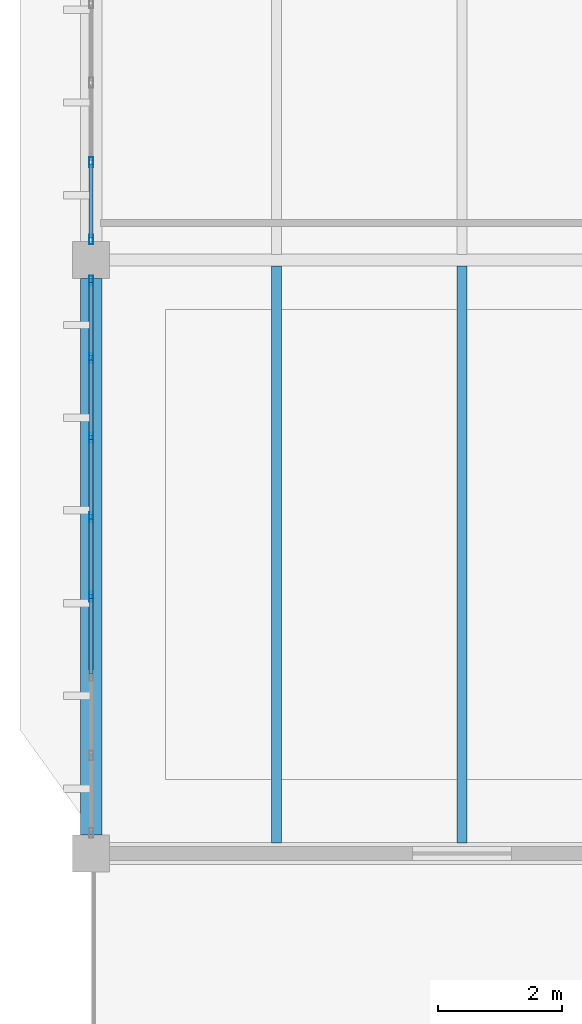
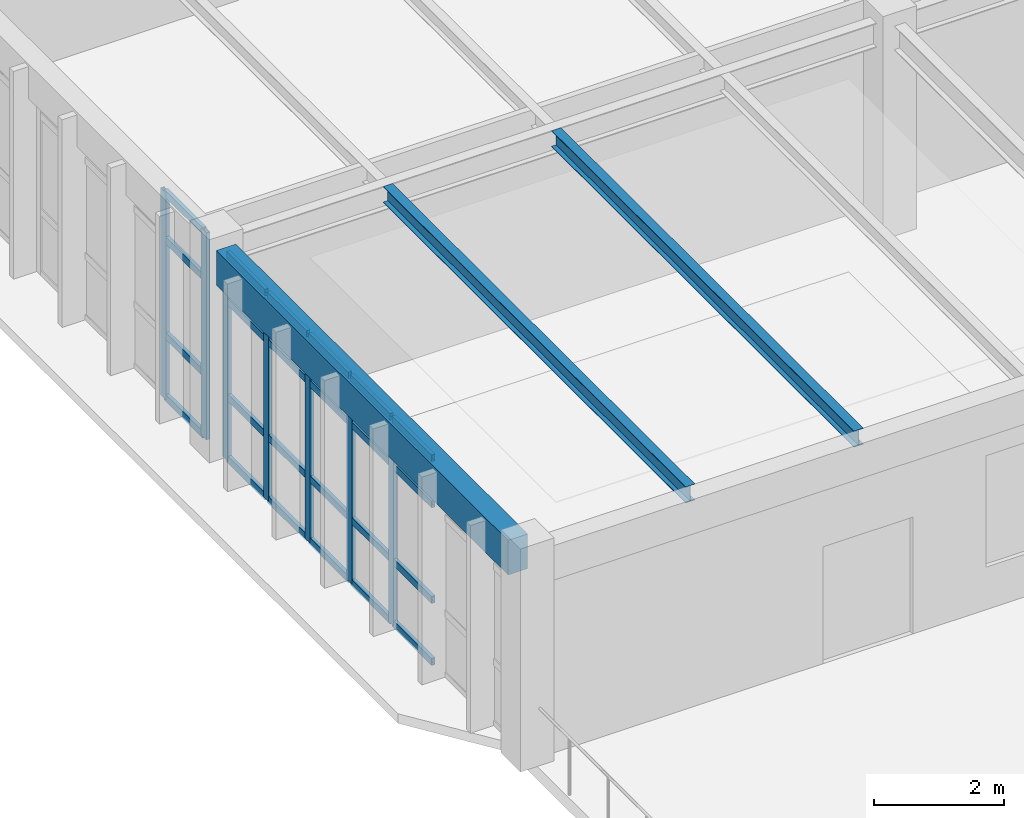
# One storey, part 4 of 37: 31 members, 3 beams, 2 elements without a shape of their own.
"""IFC4 building model written with IfcOpenShell, lengths in metres."""

from ifc_helpers import new_model, si_unit, direction, frame, origin, origin_2d, place, context, subcontext, project, spatial, rectangle, hollow_rectangle, i_section, extrude, material, layer, layer_set, material_profile, profile_set, type_object, element, aggregate, save


model = new_model("IFC4")

# Units and contexts
model_context = context("Model", 3, precision=1e-05, world=origin(), true_north=direction((0.0, 1.0)))
body_context = subcontext(model_context, "Body", "Model", "MODEL_VIEW")
ifc_project = project(units=[si_unit("LENGTHUNIT", "METRE"), si_unit("AREAUNIT", "SQUARE_METRE"), si_unit("VOLUMEUNIT", "CUBIC_METRE"), si_unit("PLANEANGLEUNIT", "RADIAN"), si_unit("MASSUNIT", "GRAM", prefix="KILO")], contexts=[model_context])

# Site, building, storey
site_placement = place(None, origin())
site = spatial("IfcSite", under=ifc_project, at=site_placement, CompositionType="ELEMENT")
building_placement = place(site_placement, origin())
building = spatial("IfcBuilding", under=site, at=building_placement, Name="Pandanus Reach Market Hall", CompositionType="ELEMENT")
storey_placement = place(building_placement, frame((0.0, 0.0, 14.39990234375)))
storey = spatial("IfcBuildingStorey", under=building, at=storey_placement, Name="L03", CompositionType="ELEMENT", Elevation=14.39990234375)

# Beam
ifc_material_1 = material(Name="Concrete N40 (40 MPa)", Category="concrete")
ifc_material_profile_1 = material_profile(ifc_material_1, rectangle(XDim=0.35009765625, YDim=0.64990234375, at=origin_2d()), Name="RC350x650", Category="LoadBearing")
ifc_profile_set_1 = profile_set([ifc_material_profile_1], Name="Concrete N40 (40 MPa)")
beam_type_1 = type_object("IfcBeamType", Name="BM-RC350-E", PredefinedType="SPANDREL", material=ifc_profile_set_1)
beam_placement = place(storey_placement, frame((144.0, 29.097900390625, 3.630126953125), z_axis=(0.0, 1.0, 0.0), x_axis=(-1.0, 0.0, 0.0)))
element("IfcBeam", 1, at=beam_placement, inside=storey, type_object=beam_type_1, Name="Framing beam BM-RC350-E L03.554", PredefinedType="SPANDREL", context=body_context, shape_type="SweptSolid", body=[
    extrude(rectangle(XDim=0.35009765625, YDim=0.64990234375, at=origin_2d()), origin(), (0.0, 0.0, 1.0), 9.004150390625),
])

# Curtain wall, members
ifc_material_2 = material(Name="Bronze anodised aluminium and low-E glass", Category="aluminium")
ifc_layer = layer(ifc_material_2, 0.159912109375, Name="CW-33")
ifc_layer_set = layer_set([ifc_layer], Name="Bronze anodised aluminium and low-E glass")
curtain_wall_type = type_object("IfcCurtainWallType", Name="CW-33", PredefinedType="NOTDEFINED", material=ifc_layer_set)
curtain_wall_1_placement = place(storey_placement, origin())
curtain_wall_1 = element("IfcCurtainWall", 2, at=curtain_wall_1_placement, inside=storey, type_object=curtain_wall_type, Name="Glazed curtain wall CW-33 CW-0122", PredefinedType="NOTDEFINED")
ifc_material_3 = material(Name="Bronze anodised aluminium", Category="aluminium")
ifc_material_profile_2 = material_profile(ifc_material_3, hollow_rectangle(XDim=0.06494140625, YDim=0.159912109375, WallThickness=0.00390625, at=origin_2d()), Name="ALU65x160", Category="LoadBearing")
ifc_profile_set_2 = profile_set([ifc_material_profile_2], Name="Bronze anodised aluminium")
member_type_1 = type_object("IfcMemberType", Name="CW-M1", PredefinedType="MULLION", material=ifc_profile_set_2)
member_1_placement = place(storey_placement, frame((144.0, 32.95703125, 0.0), z_axis=(0.0, 0.0, 1.0), x_axis=(-1.0, 0.0, 0.0)))
member_1 = element("IfcMember", 3, at=member_1_placement, type_object=member_type_1, Name="CW-33 mullion 4", PredefinedType="MULLION", context=body_context, shape_type="SweptSolid", body=[
    extrude(hollow_rectangle(XDim=0.06494140625, YDim=0.159912109375, WallThickness=0.00390625, at=origin_2d()), origin(), (0.0, 0.0, 1.0), 3.900146484375),
])
member_2_placement = place(storey_placement, frame((144.0, 34.242919921875, 0.0), z_axis=(0.0, 0.0, 1.0), x_axis=(-1.0, 0.0, 0.0)))
member_2 = element("IfcMember", 4, at=member_2_placement, type_object=member_type_1, Name="CW-33 mullion 5", PredefinedType="MULLION", context=body_context, shape_type="SweptSolid", body=[
    extrude(hollow_rectangle(XDim=0.06494140625, YDim=0.159912109375, WallThickness=0.00390625, at=origin_2d()), origin(), (0.0, 0.0, 1.0), 3.900146484375),
])
member_3_placement = place(storey_placement, frame((144.0, 35.528564453125, 0.0), z_axis=(0.0, 0.0, 1.0), x_axis=(-1.0, 0.0, 0.0)))
member_3 = element("IfcMember", 5, at=member_3_placement, type_object=member_type_1, Name="CW-33 mullion 6", PredefinedType="MULLION", context=body_context, shape_type="SweptSolid", body=[
    extrude(hollow_rectangle(XDim=0.06494140625, YDim=0.159912109375, WallThickness=0.00390625, at=origin_2d()), origin(), (0.0, 0.0, 1.0), 3.900146484375),
])
member_4_placement = place(storey_placement, frame((144.0, 36.814208984375, 0.0), z_axis=(0.0, 0.0, 1.0), x_axis=(-1.0, 0.0, 0.0)))
member_4 = element("IfcMember", 6, at=member_4_placement, type_object=member_type_1, Name="CW-33 mullion 7", PredefinedType="MULLION", context=body_context, shape_type="SweptSolid", body=[
    extrude(hollow_rectangle(XDim=0.06494140625, YDim=0.159912109375, WallThickness=0.00390625, at=origin_2d()), origin(), (0.0, 0.0, 1.0), 3.900146484375),
])
member_5_placement = place(storey_placement, frame((144.0, 38.0673828125, 0.0), z_axis=(0.0, 0.0, 1.0), x_axis=(-1.0, 0.0, 0.0)))
member_5 = element("IfcMember", 7, at=member_5_placement, type_object=member_type_1, Name="CW-33 mullion 8", PredefinedType="MULLION", context=body_context, shape_type="SweptSolid", body=[
    extrude(hollow_rectangle(XDim=0.06494140625, YDim=0.159912109375, WallThickness=0.00390625, at=origin_2d()), origin(), (0.0, 0.0, 1.0), 3.900146484375),
])

curtain_wall_2_placement = place(storey_placement, origin())
curtain_wall_2 = element("IfcCurtainWall", 8, at=curtain_wall_2_placement, inside=storey, type_object=curtain_wall_type, Name="Glazed curtain wall CW-33 CW-0123", PredefinedType="NOTDEFINED")
member_6_placement = place(storey_placement, frame((144.0, 38.732421875, 0.0), z_axis=(0.0, 0.0, 1.0), x_axis=(-1.0, 0.0, 0.0)))
member_6 = element("IfcMember", 9, at=member_6_placement, type_object=member_type_1, Name="CW-33 mullion 1", PredefinedType="MULLION", context=body_context, shape_type="SweptSolid", body=[
    extrude(hollow_rectangle(XDim=0.06494140625, YDim=0.159912109375, WallThickness=0.00390625, at=origin_2d()), origin(), (0.0, 0.0, 1.0), 3.900146484375),
])
member_7_placement = place(storey_placement, frame((144.0, 39.985595703125, 0.0), z_axis=(0.0, 0.0, 1.0), x_axis=(-1.0, 0.0, 0.0)))
member_7 = element("IfcMember", 10, at=member_7_placement, type_object=member_type_1, Name="CW-33 mullion 2", PredefinedType="MULLION", context=body_context, shape_type="SweptSolid", body=[
    extrude(hollow_rectangle(XDim=0.06494140625, YDim=0.159912109375, WallThickness=0.00390625, at=origin_2d()), origin(), (0.0, 0.0, 1.0), 3.900146484375),
])

# Member
ifc_material_profile_3 = material_profile(ifc_material_3, hollow_rectangle(XDim=0.06494140625, YDim=0.1298828125, WallThickness=0.00390625, at=origin_2d()), Name="ALU65x130", Category="LoadBearing")
ifc_profile_set_3 = profile_set([ifc_material_profile_3], Name="Bronze anodised aluminium")
member_type_2 = type_object("IfcMemberType", Name="CW-T1", PredefinedType="USERDEFINED", material=ifc_profile_set_3)
member_8_placement = place(storey_placement, frame((144.0, 31.703857421875, 0.03271484375), z_axis=(0.0, 1.0, 0.0), x_axis=(-1.0, 0.0, 0.0)))
member_8 = element("IfcMember", 11, at=member_8_placement, type_object=member_type_2, Name="CW-33 transom 3.1", ObjectType="TRANSOM", PredefinedType="USERDEFINED", context=body_context, shape_type="SweptSolid", body=[
    extrude(hollow_rectangle(XDim=0.06494140625, YDim=0.1298828125, WallThickness=0.00390625, at=origin_2d()), origin(), (0.0, 0.0, 1.0), 1.220703125),
])

member_9_placement = place(storey_placement, frame((144.0, 31.703857421875, 1.2001953125), z_axis=(0.0, 1.0, 0.0), x_axis=(-1.0, 0.0, 0.0)))
member_9 = element("IfcMember", 12, at=member_9_placement, type_object=member_type_2, Name="CW-33 transom 3.2", ObjectType="TRANSOM", PredefinedType="USERDEFINED", context=body_context, shape_type="SweptSolid", body=[
    extrude(hollow_rectangle(XDim=0.06494140625, YDim=0.1298828125, WallThickness=0.00390625, at=origin_2d()), origin(), (0.0, 0.0, 1.0), 1.220703125),
])

member_10_placement = place(storey_placement, frame((144.0, 31.703857421875, 3.0), z_axis=(0.0, 1.0, 0.0), x_axis=(-1.0, 0.0, 0.0)))
member_10 = element("IfcMember", 13, at=member_10_placement, type_object=member_type_2, Name="CW-33 transom 3.3", ObjectType="TRANSOM", PredefinedType="USERDEFINED", context=body_context, shape_type="SweptSolid", body=[
    extrude(hollow_rectangle(XDim=0.06494140625, YDim=0.1298828125, WallThickness=0.00390625, at=origin_2d()), origin(), (0.0, 0.0, 1.0), 1.220703125),
])

member_11_placement = place(storey_placement, frame((144.0, 31.703857421875, 3.86767578125), z_axis=(0.0, 1.0, 0.0), x_axis=(-1.0, 0.0, 0.0)))
member_11 = element("IfcMember", 14, at=member_11_placement, type_object=member_type_2, Name="CW-33 transom 3.4", ObjectType="TRANSOM", PredefinedType="USERDEFINED", context=body_context, shape_type="SweptSolid", body=[
    extrude(hollow_rectangle(XDim=0.06494140625, YDim=0.1298828125, WallThickness=0.00390625, at=origin_2d()), origin(), (0.0, 0.0, 1.0), 1.220703125),
])

member_12_placement = place(storey_placement, frame((144.0, 32.98974609375, 0.03271484375), z_axis=(0.0, 1.0, 0.0), x_axis=(-1.0, 0.0, 0.0)))
member_12 = element("IfcMember", 15, at=member_12_placement, type_object=member_type_2, Name="CW-33 transom 4.1", ObjectType="TRANSOM", PredefinedType="USERDEFINED", context=body_context, shape_type="SweptSolid", body=[
    extrude(hollow_rectangle(XDim=0.06494140625, YDim=0.1298828125, WallThickness=0.00390625, at=origin_2d()), origin(), (0.0, 0.0, 1.0), 1.220703125),
])

member_13_placement = place(storey_placement, frame((144.0, 32.98974609375, 1.2001953125), z_axis=(0.0, 1.0, 0.0), x_axis=(-1.0, 0.0, 0.0)))
member_13 = element("IfcMember", 16, at=member_13_placement, type_object=member_type_2, Name="CW-33 transom 4.2", ObjectType="TRANSOM", PredefinedType="USERDEFINED", context=body_context, shape_type="SweptSolid", body=[
    extrude(hollow_rectangle(XDim=0.06494140625, YDim=0.1298828125, WallThickness=0.00390625, at=origin_2d()), origin(), (0.0, 0.0, 1.0), 1.220703125),
])

member_14_placement = place(storey_placement, frame((144.0, 32.98974609375, 3.0), z_axis=(0.0, 1.0, 0.0), x_axis=(-1.0, 0.0, 0.0)))
member_14 = element("IfcMember", 17, at=member_14_placement, type_object=member_type_2, Name="CW-33 transom 4.3", ObjectType="TRANSOM", PredefinedType="USERDEFINED", context=body_context, shape_type="SweptSolid", body=[
    extrude(hollow_rectangle(XDim=0.06494140625, YDim=0.1298828125, WallThickness=0.00390625, at=origin_2d()), origin(), (0.0, 0.0, 1.0), 1.220703125),
])

member_15_placement = place(storey_placement, frame((144.0, 32.98974609375, 3.86767578125), z_axis=(0.0, 1.0, 0.0), x_axis=(-1.0, 0.0, 0.0)))
member_15 = element("IfcMember", 18, at=member_15_placement, type_object=member_type_2, Name="CW-33 transom 4.4", ObjectType="TRANSOM", PredefinedType="USERDEFINED", context=body_context, shape_type="SweptSolid", body=[
    extrude(hollow_rectangle(XDim=0.06494140625, YDim=0.1298828125, WallThickness=0.00390625, at=origin_2d()), origin(), (0.0, 0.0, 1.0), 1.220703125),
])

member_16_placement = place(storey_placement, frame((144.0, 34.275390625, 0.03271484375), z_axis=(0.0, 1.0, 0.0), x_axis=(-1.0, 0.0, 0.0)))
member_16 = element("IfcMember", 19, at=member_16_placement, type_object=member_type_2, Name="CW-33 transom 5.1", ObjectType="TRANSOM", PredefinedType="USERDEFINED", context=body_context, shape_type="SweptSolid", body=[
    extrude(hollow_rectangle(XDim=0.06494140625, YDim=0.1298828125, WallThickness=0.00390625, at=origin_2d()), origin(), (0.0, 0.0, 1.0), 1.220703125),
])

member_17_placement = place(storey_placement, frame((144.0, 34.275390625, 1.2001953125), z_axis=(0.0, 1.0, 0.0), x_axis=(-1.0, 0.0, 0.0)))
member_17 = element("IfcMember", 20, at=member_17_placement, type_object=member_type_2, Name="CW-33 transom 5.2", ObjectType="TRANSOM", PredefinedType="USERDEFINED", context=body_context, shape_type="SweptSolid", body=[
    extrude(hollow_rectangle(XDim=0.06494140625, YDim=0.1298828125, WallThickness=0.00390625, at=origin_2d()), origin(), (0.0, 0.0, 1.0), 1.220703125),
])

member_18_placement = place(storey_placement, frame((144.0, 34.275390625, 3.0), z_axis=(0.0, 1.0, 0.0), x_axis=(-1.0, 0.0, 0.0)))
member_18 = element("IfcMember", 21, at=member_18_placement, type_object=member_type_2, Name="CW-33 transom 5.3", ObjectType="TRANSOM", PredefinedType="USERDEFINED", context=body_context, shape_type="SweptSolid", body=[
    extrude(hollow_rectangle(XDim=0.06494140625, YDim=0.1298828125, WallThickness=0.00390625, at=origin_2d()), origin(), (0.0, 0.0, 1.0), 1.220703125),
])

member_19_placement = place(storey_placement, frame((144.0, 34.275390625, 3.86767578125), z_axis=(0.0, 1.0, 0.0), x_axis=(-1.0, 0.0, 0.0)))
member_19 = element("IfcMember", 22, at=member_19_placement, type_object=member_type_2, Name="CW-33 transom 5.4", ObjectType="TRANSOM", PredefinedType="USERDEFINED", context=body_context, shape_type="SweptSolid", body=[
    extrude(hollow_rectangle(XDim=0.06494140625, YDim=0.1298828125, WallThickness=0.00390625, at=origin_2d()), origin(), (0.0, 0.0, 1.0), 1.220703125),
])

member_20_placement = place(storey_placement, frame((144.0, 35.56103515625, 0.03271484375), z_axis=(0.0, 1.0, 0.0), x_axis=(-1.0, 0.0, 0.0)))
member_20 = element("IfcMember", 23, at=member_20_placement, type_object=member_type_2, Name="CW-33 transom 6.1", ObjectType="TRANSOM", PredefinedType="USERDEFINED", context=body_context, shape_type="SweptSolid", body=[
    extrude(hollow_rectangle(XDim=0.06494140625, YDim=0.1298828125, WallThickness=0.00390625, at=origin_2d()), origin(), (0.0, 0.0, 1.0), 1.220703125),
])

member_21_placement = place(storey_placement, frame((144.0, 35.56103515625, 1.2001953125), z_axis=(0.0, 1.0, 0.0), x_axis=(-1.0, 0.0, 0.0)))
member_21 = element("IfcMember", 24, at=member_21_placement, type_object=member_type_2, Name="CW-33 transom 6.2", ObjectType="TRANSOM", PredefinedType="USERDEFINED", context=body_context, shape_type="SweptSolid", body=[
    extrude(hollow_rectangle(XDim=0.06494140625, YDim=0.1298828125, WallThickness=0.00390625, at=origin_2d()), origin(), (0.0, 0.0, 1.0), 1.220703125),
])

member_22_placement = place(storey_placement, frame((144.0, 35.56103515625, 3.0), z_axis=(0.0, 1.0, 0.0), x_axis=(-1.0, 0.0, 0.0)))
member_22 = element("IfcMember", 25, at=member_22_placement, type_object=member_type_2, Name="CW-33 transom 6.3", ObjectType="TRANSOM", PredefinedType="USERDEFINED", context=body_context, shape_type="SweptSolid", body=[
    extrude(hollow_rectangle(XDim=0.06494140625, YDim=0.1298828125, WallThickness=0.00390625, at=origin_2d()), origin(), (0.0, 0.0, 1.0), 1.220703125),
])

member_23_placement = place(storey_placement, frame((144.0, 35.56103515625, 3.86767578125), z_axis=(0.0, 1.0, 0.0), x_axis=(-1.0, 0.0, 0.0)))
member_23 = element("IfcMember", 26, at=member_23_placement, type_object=member_type_2, Name="CW-33 transom 6.4", ObjectType="TRANSOM", PredefinedType="USERDEFINED", context=body_context, shape_type="SweptSolid", body=[
    extrude(hollow_rectangle(XDim=0.06494140625, YDim=0.1298828125, WallThickness=0.00390625, at=origin_2d()), origin(), (0.0, 0.0, 1.0), 1.220703125),
])

member_24_placement = place(storey_placement, frame((144.0, 36.8466796875, 0.03271484375), z_axis=(0.0, 1.0, 0.0), x_axis=(-1.0, 0.0, 0.0)))
member_24 = element("IfcMember", 27, at=member_24_placement, type_object=member_type_2, Name="CW-33 transom 7.1", ObjectType="TRANSOM", PredefinedType="USERDEFINED", context=body_context, shape_type="SweptSolid", body=[
    extrude(hollow_rectangle(XDim=0.06494140625, YDim=0.1298828125, WallThickness=0.00390625, at=origin_2d()), origin(), (0.0, 0.0, 1.0), 1.188232421875),
])

member_25_placement = place(storey_placement, frame((144.0, 36.8466796875, 1.2001953125), z_axis=(0.0, 1.0, 0.0), x_axis=(-1.0, 0.0, 0.0)))
member_25 = element("IfcMember", 28, at=member_25_placement, type_object=member_type_2, Name="CW-33 transom 7.2", ObjectType="TRANSOM", PredefinedType="USERDEFINED", context=body_context, shape_type="SweptSolid", body=[
    extrude(hollow_rectangle(XDim=0.06494140625, YDim=0.1298828125, WallThickness=0.00390625, at=origin_2d()), origin(), (0.0, 0.0, 1.0), 1.188232421875),
])

member_26_placement = place(storey_placement, frame((144.0, 36.8466796875, 3.0), z_axis=(0.0, 1.0, 0.0), x_axis=(-1.0, 0.0, 0.0)))
member_26 = element("IfcMember", 29, at=member_26_placement, type_object=member_type_2, Name="CW-33 transom 7.3", ObjectType="TRANSOM", PredefinedType="USERDEFINED", context=body_context, shape_type="SweptSolid", body=[
    extrude(hollow_rectangle(XDim=0.06494140625, YDim=0.1298828125, WallThickness=0.00390625, at=origin_2d()), origin(), (0.0, 0.0, 1.0), 1.188232421875),
])

member_27_placement = place(storey_placement, frame((144.0, 36.8466796875, 3.86767578125), z_axis=(0.0, 1.0, 0.0), x_axis=(-1.0, 0.0, 0.0)))
member_27 = element("IfcMember", 30, at=member_27_placement, type_object=member_type_2, Name="CW-33 transom 7.4", ObjectType="TRANSOM", PredefinedType="USERDEFINED", context=body_context, shape_type="SweptSolid", body=[
    extrude(hollow_rectangle(XDim=0.06494140625, YDim=0.1298828125, WallThickness=0.00390625, at=origin_2d()), origin(), (0.0, 0.0, 1.0), 1.188232421875),
])

aggregate(curtain_wall_1, [member_1, member_2, member_3, member_4, member_5, member_8, member_9, member_10, member_11, member_12, member_13, member_14, member_15, member_16, member_17, member_18, member_19, member_20, member_21, member_22, member_23, member_24, member_25, member_26, member_27])

member_28_placement = place(storey_placement, frame((144.0, 38.764892578125, 0.03271484375), z_axis=(0.0, 1.0, 0.0), x_axis=(-1.0, 0.0, 0.0)))
member_28 = element("IfcMember", 31, at=member_28_placement, type_object=member_type_2, Name="CW-33 transom 1.1", ObjectType="TRANSOM", PredefinedType="USERDEFINED", context=body_context, shape_type="SweptSolid", body=[
    extrude(hollow_rectangle(XDim=0.06494140625, YDim=0.1298828125, WallThickness=0.00390625, at=origin_2d()), origin(), (0.0, 0.0, 1.0), 1.188232421875),
])

member_29_placement = place(storey_placement, frame((144.0, 38.764892578125, 1.2001953125), z_axis=(0.0, 1.0, 0.0), x_axis=(-1.0, 0.0, 0.0)))
member_29 = element("IfcMember", 32, at=member_29_placement, type_object=member_type_2, Name="CW-33 transom 1.2", ObjectType="TRANSOM", PredefinedType="USERDEFINED", context=body_context, shape_type="SweptSolid", body=[
    extrude(hollow_rectangle(XDim=0.06494140625, YDim=0.1298828125, WallThickness=0.00390625, at=origin_2d()), origin(), (0.0, 0.0, 1.0), 1.188232421875),
])

member_30_placement = place(storey_placement, frame((144.0, 38.764892578125, 3.0), z_axis=(0.0, 1.0, 0.0), x_axis=(-1.0, 0.0, 0.0)))
member_30 = element("IfcMember", 33, at=member_30_placement, type_object=member_type_2, Name="CW-33 transom 1.3", ObjectType="TRANSOM", PredefinedType="USERDEFINED", context=body_context, shape_type="SweptSolid", body=[
    extrude(hollow_rectangle(XDim=0.06494140625, YDim=0.1298828125, WallThickness=0.00390625, at=origin_2d()), origin(), (0.0, 0.0, 1.0), 1.188232421875),
])

member_31_placement = place(storey_placement, frame((144.0, 38.764892578125, 3.86767578125), z_axis=(0.0, 1.0, 0.0), x_axis=(-1.0, 0.0, 0.0)))
member_31 = element("IfcMember", 34, at=member_31_placement, type_object=member_type_2, Name="CW-33 transom 1.4", ObjectType="TRANSOM", PredefinedType="USERDEFINED", context=body_context, shape_type="SweptSolid", body=[
    extrude(hollow_rectangle(XDim=0.06494140625, YDim=0.1298828125, WallThickness=0.00390625, at=origin_2d()), origin(), (0.0, 0.0, 1.0), 1.188232421875),
])

aggregate(curtain_wall_2, [member_6, member_7, member_28, member_29, member_30, member_31])

# Beams
ifc_material_4 = material(Name="Steel Grade 350 (350 MPa)", Category="steel")
ifc_material_profile_4 = material_profile(ifc_material_4, i_section(OverallWidth=0.1650390625, OverallDepth=0.303955078125, WebThickness=0.006103515625, FlangeThickness=0.01025390625, at=origin_2d()), Name="310UB40.4", Category="LoadBearing")
ifc_profile_set_4 = profile_set([ifc_material_profile_4], Name="Steel Grade 350 (350 MPa)")
beam_type_2 = type_object("IfcBeamType", Name="JS-UB310-I", PredefinedType="JOIST", material=ifc_profile_set_4)
for number, where, z_axis, x_axis, name in (
    (35, (147.0, 28.972900390625, 3.802734375), (0.0, 1.0, 0.0), (-1.0, 0.0, 0.0), "Secondary joist JS-UB310-I L03.574"),
    (36, (150.0, 28.972900390625, 3.802734375), (0.0, 1.0, 0.0), (-1.0, 0.0, 0.0), "Secondary joist JS-UB310-I L03.575"),
):
    element("IfcBeam", number, at=place(storey_placement, frame(where, z_axis=z_axis, x_axis=x_axis)), inside=storey, type_object=beam_type_2, Name=name, PredefinedType="JOIST", context=body_context, shape_type="SweptSolid", body=[
        extrude(i_section(OverallWidth=0.1650390625, OverallDepth=0.303955078125, WebThickness=0.006103515625, FlangeThickness=0.01025390625, at=origin_2d()), origin(), (0.0, 0.0, 1.0), 9.333984375),
    ])

save(model, "model.ifc")
